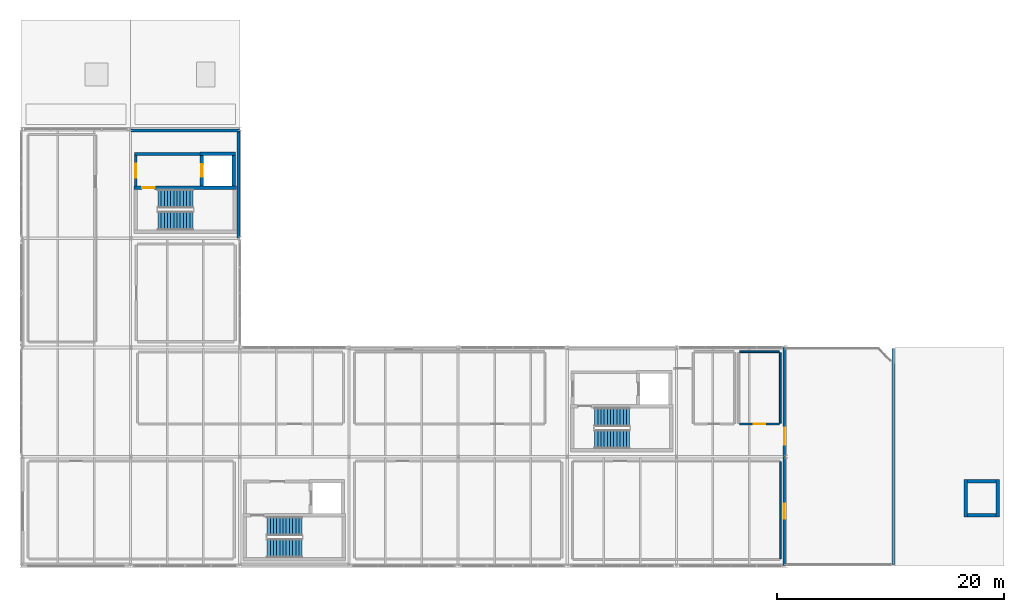
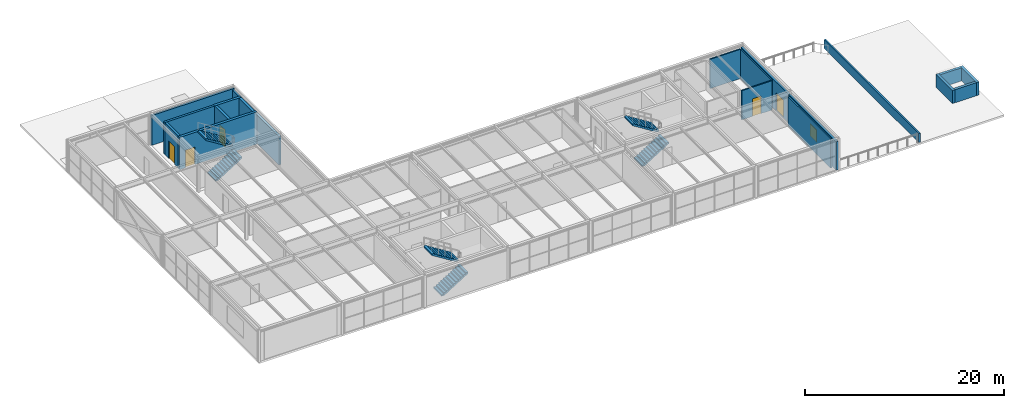
# One storey, part 36 of 39: 19 walls, 6 stair flights, 5 doors, 1 window, 6 openings, 3 elements without a shape of their own.
"""IFC4 building model written with IfcOpenShell, lengths in metres."""

from ifc_helpers import new_model, si_unit, direction, frame, frame_2d, origin, place, context, subcontext, project, spatial, polyline, rectangle, outline, extrude, material, layer, layer_set, type_object, element, fill, aggregate, save


model = new_model("IFC4")

# Units and contexts
model_context = context("Model", 3, precision=1e-05, world=origin(), true_north=direction((0.0, 1.0)))
body_context = subcontext(model_context, "Body", "Model", "MODEL_VIEW")
ifc_project = project(units=[si_unit("LENGTHUNIT", "METRE"), si_unit("AREAUNIT", "SQUARE_METRE"), si_unit("VOLUMEUNIT", "CUBIC_METRE"), si_unit("PLANEANGLEUNIT", "RADIAN"), si_unit("MASSUNIT", "GRAM", prefix="KILO")], contexts=[model_context])

# Site, building, storey
site_placement = place(None, origin())
site = spatial("IfcSite", under=ifc_project, at=site_placement, CompositionType="ELEMENT")
building_placement = place(site_placement, origin())
building = spatial("IfcBuilding", under=site, at=building_placement, Name="Coralgate Yard Interchange", CompositionType="ELEMENT")
storey_placement = place(building_placement, frame((0.0, 0.0, 18.89990234375)))
storey = spatial("IfcBuildingStorey", under=building, at=storey_placement, Name="L04", CompositionType="ELEMENT", Elevation=18.89990234375)

# Wall, opening, door
ifc_material_1 = material(Name="Concrete C40/50", Category="concrete")
ifc_layer_1 = layer(ifc_material_1, 0.300048828125)
ifc_layer_set_1 = layer_set([ifc_layer_1], Name="Concrete C40/50")
wall_type_1 = type_object("IfcWallType", Name="WAL-CW300", PredefinedType="SHEAR", material=ifc_layer_set_1)
wall_1_placement = place(storey_placement, frame((18.89990234375, 33.25, 0.0), z_axis=(0.0, 0.0, 1.0), x_axis=(-1.0, 0.0, 0.0)))
wall_1 = element("IfcWall", 1, at=wall_1_placement, inside=storey, type_object=wall_type_1, Name="C1 L04 stair north shear wall", PredefinedType="SHEAR", context=body_context, shape_type="SweptSolid", body=[
    extrude(rectangle(XDim=9.0, YDim=0.300048828125, at=frame_2d((4.5, 0.0))), origin(), (0.0, 0.0, 1.0), 3.9501953125),
])
opening_1_placement = place(wall_1_placement, frame((7.199951171875, 0.0, 0.0)))
opening_1 = element("IfcOpeningElement", 2, at=opening_1_placement, cuts=wall_1, Name="Opening FD-1", PredefinedType="OPENING", context=body_context, shape_type="SweptSolid", body=[
    extrude(rectangle(XDim=1.10009765625, YDim=2.14990234375, at=frame_2d((0.550048828125, 1.074951171875))), frame((0.0, 0.159912109375, 0.0), z_axis=(0.0, -1.0, 0.0), x_axis=(1.0, 0.0, 0.0)), (0.0, 0.0, 1.0), 0.320068359375),
])
ifc_material_2 = material(Name="Powder-coated steel fire door assembly", Category="steel")
door_type_1 = type_object("IfcDoorType", Name="DOR-FD-1", OperationType="NOTDEFINED", PredefinedType="DOOR", material=ifc_material_2)
door_1_placement = place(opening_1_placement, frame((1.10009765625, 0.0, 0.0), z_axis=(0.0, 0.0, 1.0), x_axis=(-1.0, 0.0, 0.0)))
door_1 = element("IfcDoor", 3, at=door_1_placement, inside=storey, type_object=door_type_1, Name="C1 L04 stair fire door", OperationType="SINGLE_SWING_LEFT", OverallHeight=2.14990234375, OverallWidth=1.10009765625, PredefinedType="DOOR", context=body_context, shape_type="SweptSolid", body=[
    extrude(rectangle(XDim=1.10009765625, YDim=2.14990234375, at=frame_2d((0.550048828125, 1.074951171875))), frame((0.0, 0.02490234375, 0.0), z_axis=(0.0, -1.0, 0.0), x_axis=(1.0, 0.0, 0.0)), (0.0, 0.0, 1.0), 0.050048828125),
])
fill(opening_1, door_1)

wall_2_placement = place(storey_placement, frame((15.85009765625, 36.10009765625, 0.0), z_axis=(0.0, 0.0, 1.0), x_axis=(0.0, -1.0, 0.0)))
wall_2 = element("IfcWall", 4, at=wall_2_placement, inside=storey, type_object=wall_type_1, Name="C1 L04 lift front shear wall", PredefinedType="SHEAR", context=body_context, shape_type="SweptSolid", body=[
    extrude(rectangle(XDim=2.7001953125, YDim=0.300048828125, at=frame_2d((1.35009765625, 0.0))), origin(), (0.0, 0.0, 1.0), 3.9501953125),
])
opening_2_placement = place(wall_2_placement, frame((0.800048828125, 0.0, 0.0)))
opening_2 = element("IfcOpeningElement", 5, at=opening_2_placement, cuts=wall_2, Name="Opening LD-1", PredefinedType="OPENING", context=body_context, shape_type="SweptSolid", body=[
    extrude(rectangle(XDim=1.10009765625, YDim=2.10009765625, at=frame_2d((0.550048828125, 1.050048828125))), frame((0.0, 0.159912109375, 0.0), z_axis=(0.0, -1.0, 0.0), x_axis=(1.0, 0.0, 0.0)), (0.0, 0.0, 1.0), 0.320068359375),
])
ifc_material_3 = material(Name="Brushed stainless steel firefighting lift landing door", Category="steel")
door_type_2 = type_object("IfcDoorType", Name="DOR-LD-1", OperationType="DOUBLE_DOOR_SLIDING", PredefinedType="DOOR", material=ifc_material_3)
door_2_placement = place(opening_2_placement, frame((1.10009765625, 0.0, 0.0), z_axis=(0.0, 0.0, 1.0), x_axis=(-1.0, 0.0, 0.0)))
door_2 = element("IfcDoor", 6, at=door_2_placement, inside=storey, type_object=door_type_2, Name="FFL-01 L04 sliding lift landing door", OperationType="DOUBLE_DOOR_SLIDING", OverallHeight=2.10009765625, OverallWidth=1.10009765625, PredefinedType="DOOR", context=body_context, shape_type="SweptSolid", body=[
    extrude(rectangle(XDim=1.10009765625, YDim=2.10009765625, at=frame_2d((0.550048828125, 1.050048828125))), frame((0.0, 0.02490234375, 0.0), z_axis=(0.0, -1.0, 0.0), x_axis=(1.0, 0.0, 0.0)), (0.0, 0.0, 1.0), 0.050048828125),
])
fill(opening_2, door_2)

# Walls
wall_3_placement = place(storey_placement, frame((18.64990234375, 33.39990234375, 0.0), z_axis=(0.0, 0.0, 1.0), x_axis=(0.0, 1.0, 0.0)))
element("IfcWall", 7, at=wall_3_placement, inside=storey, type_object=wall_type_1, Name="C1 L04 lift rear shear wall", PredefinedType="SHEAR", context=body_context, shape_type="SweptSolid", body=[
    extrude(rectangle(XDim=2.7001953125, YDim=0.300048828125, at=frame_2d((1.35009765625, 0.0))), origin(), (0.0, 0.0, 1.0), 3.9501953125),
])
wall_4_placement = place(storey_placement, frame((15.699951171875, 36.25, 0.0), z_axis=(0.0, 0.0, 1.0), x_axis=(1.0, 0.0, 0.0)))
element("IfcWall", 8, at=wall_4_placement, inside=storey, type_object=wall_type_1, Name="C1 L04 lift north shear wall", PredefinedType="SHEAR", context=body_context, shape_type="SweptSolid", body=[
    extrude(rectangle(XDim=3.10009765625, YDim=0.300048828125, at=frame_2d((1.550048828125, 0.0))), origin(), (0.0, 0.0, 1.0), 3.9501953125),
])
for number, where, z_axis, x_axis, name in (
    (9, (83.050048828125, 4.300048828125, 0.0), (0.0, 0.0, 1.0), (0.0, 1.0, 0.0), "LF-02 lift overrun wall W"),
    (10, (85.85009765625, 4.300048828125, 0.0), (0.0, 0.0, 1.0), (0.0, 1.0, 0.0), "LF-02 lift overrun wall E"),
):
    element("IfcWall", number, at=place(storey_placement, frame(where, z_axis=z_axis, x_axis=x_axis)), inside=storey, type_object=wall_type_1, Name=name, PredefinedType="SHEAR", context=body_context, shape_type="SweptSolid", body=[
        extrude(rectangle(XDim=3.300048828125, YDim=0.300048828125, at=frame_2d((1.64990234375, 0.0))), origin(), (0.0, 0.0, 1.0), 1.60009765625),
    ])
for number, where, z_axis, x_axis, name in (
    (11, (83.199951171875, 4.449951171875, 0.0), (0.0, 0.0, 1.0), (1.0, 0.0, 0.0), "LF-02 lift overrun wall S"),
    (12, (83.199951171875, 7.449951171875, 0.0), (0.0, 0.0, 1.0), (1.0, 0.0, 0.0), "LF-02 lift overrun wall N"),
):
    element("IfcWall", number, at=place(storey_placement, frame(where, z_axis=z_axis, x_axis=x_axis)), inside=storey, type_object=wall_type_1, Name=name, PredefinedType="SHEAR", context=body_context, shape_type="SweptSolid", body=[
        extrude(rectangle(XDim=2.5, YDim=0.300048828125, at=frame_2d((1.25, 0.0))), origin(), (0.0, 0.0, 1.0), 1.60009765625),
    ])
ifc_material_4 = material(Name="Insulated rendered concrete blockwork", Category="masonry")
ifc_layer_2 = layer(ifc_material_4, 0.239990234375)
ifc_layer_set_2 = layer_set([ifc_layer_2], Name="Insulated rendered concrete blockwork")
wall_type_2 = type_object("IfcWallType", Name="WAL-EW-240", PredefinedType="SOLIDWALL", material=ifc_layer_set_2)
wall_5_placement = place(storey_placement, frame((9.6201171875, 38.280029296875, 0.0), z_axis=(0.0, 0.0, 1.0), x_axis=(1.0, 0.0, 0.0)))
element("IfcWall", 13, at=wall_5_placement, inside=storey, type_object=wall_type_2, Name="L04 exterior coastal wall N 1-3", PredefinedType="SOLIDWALL", context=body_context, shape_type="SweptSolid", body=[
    extrude(rectangle(XDim=9.559814453125, YDim=0.239990234375, at=frame_2d((4.77978515625, 0.0))), origin(), (0.0, 0.0, 1.0), 3.66015625),
])
wall_6_placement = place(storey_placement, frame((19.080078125, 38.3798828125, 0.0), z_axis=(0.0, 0.0, 1.0), x_axis=(0.0, -1.0, 0.0)))
element("IfcWall", 14, at=wall_6_placement, inside=storey, type_object=wall_type_2, Name="L04 exterior coastal wall E 1-3", PredefinedType="SOLIDWALL", context=body_context, shape_type="SweptSolid", body=[
    extrude(rectangle(XDim=9.559814453125, YDim=0.239990234375, at=frame_2d((4.77978515625, 0.0))), origin(), (0.0, 0.0, 1.0), 3.4931640625),
])

# Wall, opening, window
wall_7_placement = place(storey_placement, frame((67.080078125, 9.580078125, 0.0), z_axis=(0.0, 0.0, 1.0), x_axis=(0.0, -1.0, 0.0)))
wall_7 = element("IfcWall", 15, at=wall_7_placement, inside=storey, type_object=wall_type_2, Name="L04 exterior coastal wall E 6-0", PredefinedType="SOLIDWALL", context=body_context, shape_type="SweptSolid", body=[
    extrude(rectangle(XDim=9.56005859375, YDim=0.239990234375, at=frame_2d((4.780029296875, 0.0))), origin(), (0.0, 0.0, 1.0), 3.4931640625),
])
opening_3_placement = place(wall_7_placement, frame((4.10498046875, 0.0, 0.89990234375)))
opening_3 = element("IfcOpeningElement", 16, at=opening_3_placement, cuts=wall_7, Name="Opening W-15", PredefinedType="OPENING", context=body_context, shape_type="SweptSolid", body=[
    extrude(rectangle(XDim=1.35009765625, YDim=1.5, at=frame_2d((0.675048828125, 0.75))), frame((0.0, 0.1298828125, 0.0), z_axis=(0.0, -1.0, 0.0), x_axis=(1.0, 0.0, 0.0)), (0.0, 0.0, 1.0), 0.260009765625),
])
ifc_material_5 = material(Name="Thermally broken anodised aluminium and solar-control low-E glass", Category="aluminium")
window_type = type_object("IfcWindowType", Name="WIN-W-15", PartitioningType="SINGLE_PANEL", PredefinedType="WINDOW", material=ifc_material_5)
window_placement = place(opening_3_placement, origin())
window = element("IfcWindow", 17, at=window_placement, inside=storey, type_object=window_type, Name="L04 coastal facade window E-6-0", OverallHeight=1.5, OverallWidth=1.35009765625, PartitioningType="SINGLE_PANEL", PredefinedType="WINDOW", context=body_context, shape_type="SweptSolid", body=[
    extrude(rectangle(XDim=1.35009765625, YDim=1.5, at=frame_2d((0.675048828125, 0.75))), frame((0.0, 0.030029296875, 0.0), z_axis=(0.0, -1.0, 0.0), x_axis=(1.0, 0.0, 0.0)), (0.0, 0.0, 1.0), 0.06005859375),
])
fill(opening_3, window)

# Wall, opening, door
wall_8_placement = place(storey_placement, frame((67.080078125, 19.179931640625, 0.0), z_axis=(0.0, 0.0, 1.0), x_axis=(0.0, -1.0, 0.0)))
wall_8 = element("IfcWall", 18, at=wall_8_placement, inside=storey, type_object=wall_type_2, Name="L04 exterior coastal wall E 6-1", PredefinedType="SOLIDWALL", context=body_context, shape_type="SweptSolid", body=[
    extrude(rectangle(XDim=9.559814453125, YDim=0.239990234375, at=frame_2d((4.77978515625, 0.0))), origin(), (0.0, 0.0, 1.0), 3.4931640625),
])
opening_4_placement = place(wall_8_placement, frame((7.050048828125, 0.0, 0.0)))
opening_4 = element("IfcOpeningElement", 19, at=opening_4_placement, cuts=wall_8, Name="Opening VD-2", PredefinedType="OPENING", context=body_context, shape_type="SweptSolid", body=[
    extrude(rectangle(XDim=1.5, YDim=2.199951171875, at=frame_2d((0.75, 1.10009765625))), frame((0.0, 0.1298828125, 0.0), z_axis=(0.0, -1.0, 0.0), x_axis=(1.0, 0.0, 0.0)), (0.0, 0.0, 1.0), 0.260009765625),
])
ifc_material_6 = material(Name="Thermally broken aluminium terrace double door", Category="aluminium")
door_type_3 = type_object("IfcDoorType", Name="DOR-VD-2", OperationType="NOTDEFINED", PredefinedType="DOOR", material=ifc_material_6)
door_3_placement = place(opening_4_placement, origin())
door_3 = element("IfcDoor", 20, at=door_3_placement, inside=storey, type_object=door_type_3, Name="L04 coastal veranda double door 6-1", OperationType="DOUBLE_DOOR_SINGLE_SWING", OverallHeight=2.199951171875, OverallWidth=1.5, PredefinedType="DOOR", context=body_context, shape_type="SweptSolid", body=[
    extrude(rectangle(XDim=1.5, YDim=2.199951171875, at=frame_2d((0.75, 1.10009765625))), frame((0.0, 0.02490234375, 0.0), z_axis=(0.0, -1.0, 0.0), x_axis=(1.0, 0.0, 0.0)), (0.0, 0.0, 1.0), 0.050048828125),
])
fill(opening_4, door_3)

# Walls
ifc_material_7 = material(Name="Precast concrete C40/50", Category="concrete")
ifc_layer_3 = layer(ifc_material_7, 0.18994140625)
ifc_layer_set_3 = layer_set([ifc_layer_3], Name="Precast concrete C40/50")
wall_type_3 = type_object("IfcWallType", Name="WAL-PR-190", PredefinedType="PARAPET", material=ifc_layer_set_3)
wall_9_placement = place(storey_placement, frame((76.659912109375, 0.10009765625, 0.0), z_axis=(0.0, 0.0, 1.0), x_axis=(0.0, 1.0, 0.0)))
element("IfcWall", 21, at=wall_9_placement, inside=storey, type_object=wall_type_3, Name="L04 veranda-to-roof precast parapet divider wall", PredefinedType="PARAPET", context=body_context, shape_type="SweptSolid", body=[
    extrude(rectangle(XDim=19.0, YDim=0.18994140625, at=frame_2d((9.5, 0.0))), origin(), (0.0, 0.0, 1.0), 1.10498046875),
])
ifc_material_8 = material(Name="Acoustic twin-stud office partition")
ifc_layer_4 = layer(ifc_material_8, 0.139892578125)
ifc_layer_set_4 = layer_set([ifc_layer_4], Name="Acoustic twin-stud office partition")
wall_type_4 = type_object("IfcWallType", Name="WAL-PW-140", PredefinedType="PARTITIONING", material=ifc_layer_set_4)
wall_10_placement = place(storey_placement, frame((66.72998046875, 9.159912109375, 0.0), z_axis=(0.0, 0.0, 1.0), x_axis=(0.0, -1.0, 0.0)))
element("IfcWall", 22, at=wall_10_placement, inside=storey, type_object=wall_type_4, Name="Signalling and Safety Training Classroom 01 partition E", PredefinedType="PARTITIONING", context=body_context, shape_type="SweptSolid", body=[
    extrude(rectangle(XDim=8.52001953125, YDim=0.139892578125, at=frame_2d((4.260009765625, 0.0))), origin(), (0.0, 0.0, 1.0), 3.590087890625),
])

# Wall, opening, door
ifc_material_9 = material(Name="Moisture-resistant masonry washroom wall", Category="masonry")
ifc_layer_5 = layer(ifc_material_9, 0.14990234375)
ifc_layer_set_5 = layer_set([ifc_layer_5], Name="Moisture-resistant masonry washroom wall")
wall_type_5 = type_object("IfcWallType", Name="WAL-PW-150", PredefinedType="PLUMBINGWALL", material=ifc_layer_set_5)
wall_11_placement = place(storey_placement, frame((66.64990234375, 12.47509765625, 0.0), z_axis=(0.0, 0.0, 1.0), x_axis=(-1.0, 0.0, 0.0)))
wall_11 = element("IfcWall", 23, at=wall_11_placement, inside=storey, type_object=wall_type_5, Name="L04 Accessible WC partition S", PredefinedType="PLUMBINGWALL", context=body_context, shape_type="SweptSolid", body=[
    extrude(rectangle(XDim=3.5, YDim=0.14990234375, at=frame_2d((1.75, 0.0))), origin(), (0.0, 0.0, 1.0), 3.590087890625),
])
opening_5_placement = place(wall_11_placement, frame((1.25, 0.0, 0.0)))
opening_5 = element("IfcOpeningElement", 24, at=opening_5_placement, cuts=wall_11, Name="Opening ID-02", PredefinedType="OPENING", context=body_context, shape_type="SweptSolid", body=[
    extrude(rectangle(XDim=1.0, YDim=2.14990234375, at=frame_2d((0.5, 1.074951171875))), frame((0.0, 0.0849609375, 0.0), z_axis=(0.0, -1.0, 0.0), x_axis=(1.0, 0.0, 0.0)), (0.0, 0.0, 1.0), 0.169921875),
])
ifc_material_10 = material(Name="Accessible wide-leaf washroom and office door")
door_type_4 = type_object("IfcDoorType", Name="DOR-ID-02", OperationType="NOTDEFINED", PredefinedType="DOOR", material=ifc_material_10)
door_4_placement = place(opening_5_placement, frame((1.0, 0.0, 0.0), z_axis=(0.0, 0.0, 1.0), x_axis=(-1.0, 0.0, 0.0)))
door_4 = element("IfcDoor", 25, at=door_4_placement, inside=storey, type_object=door_type_4, Name="L04 Accessible WC door", OperationType="SINGLE_SWING_RIGHT", OverallHeight=2.14990234375, OverallWidth=1.0, PredefinedType="DOOR", context=body_context, shape_type="SweptSolid", body=[
    extrude(rectangle(XDim=1.0, YDim=2.14990234375, at=frame_2d((0.5, 1.074951171875))), frame((0.0, 0.02490234375, 0.0), z_axis=(0.0, -1.0, 0.0), x_axis=(1.0, 0.0, 0.0)), (0.0, 0.0, 1.0), 0.050048828125),
])
fill(opening_5, door_4)

# Walls
wall_12_placement = place(storey_placement, frame((63.14990234375, 18.824951171875, 0.0), z_axis=(0.0, 0.0, 1.0), x_axis=(1.0, 0.0, 0.0)))
element("IfcWall", 26, at=wall_12_placement, inside=storey, type_object=wall_type_5, Name="L04 Accessible WC partition N", PredefinedType="PLUMBINGWALL", context=body_context, shape_type="SweptSolid", body=[
    extrude(rectangle(XDim=3.5, YDim=0.14990234375, at=frame_2d((1.75, 0.0))), origin(), (0.0, 0.0, 1.0), 3.590087890625),
])
wall_13_placement = place(storey_placement, frame((66.72509765625, 18.75, 0.0), z_axis=(0.0, 0.0, 1.0), x_axis=(0.0, -1.0, 0.0)))
element("IfcWall", 27, at=wall_13_placement, inside=storey, type_object=wall_type_5, Name="L04 Accessible WC partition E", PredefinedType="PLUMBINGWALL", context=body_context, shape_type="SweptSolid", body=[
    extrude(rectangle(XDim=6.199951171875, YDim=0.14990234375, at=frame_2d((3.10009765625, 0.0))), origin(), (0.0, 0.0, 1.0), 3.590087890625),
])
ifc_layer_6 = layer(ifc_material_1, 0.25)
ifc_layer_set_6 = layer_set([ifc_layer_6], Name="Concrete C40/50")
wall_type_6 = type_object("IfcWallType", Name="WAL-SW250", PredefinedType="SHEAR", material=ifc_layer_set_6)
wall_14_placement = place(storey_placement, frame((15.699951171875, 36.22509765625, 0.0), z_axis=(0.0, 0.0, 1.0), x_axis=(-1.0, 0.0, 0.0)))
element("IfcWall", 28, at=wall_14_placement, inside=storey, type_object=wall_type_6, Name="C1 L04 lobby north fire wall", PredefinedType="SHEAR", context=body_context, shape_type="SweptSolid", body=[
    extrude(rectangle(XDim=5.77490234375, YDim=0.25, at=frame_2d((2.887451171875, 0.0))), origin(), (0.0, 0.0, 1.0), 3.9501953125),
])

# Wall, opening, door
wall_15_placement = place(storey_placement, frame((10.050048828125, 33.39990234375, 0.0), z_axis=(0.0, 0.0, 1.0), x_axis=(0.0, 1.0, 0.0)))
wall_15 = element("IfcWall", 29, at=wall_15_placement, inside=storey, type_object=wall_type_6, Name="C1 L04 lobby west fire wall", PredefinedType="SHEAR", context=body_context, shape_type="SweptSolid", body=[
    extrude(rectangle(XDim=2.7001953125, YDim=0.25, at=frame_2d((1.35009765625, 0.0))), origin(), (0.0, 0.0, 1.0), 3.9501953125),
])
opening_6_placement = place(wall_15_placement, frame((0.75, 0.0, 0.0)))
opening_6 = element("IfcOpeningElement", 30, at=opening_6_placement, cuts=wall_15, Name="Opening FD-2", PredefinedType="OPENING", context=body_context, shape_type="SweptSolid", body=[
    extrude(rectangle(XDim=1.199951171875, YDim=2.14990234375, at=frame_2d((0.60009765625, 1.074951171875))), frame((0.0, 0.135009765625, 0.0), z_axis=(0.0, -1.0, 0.0), x_axis=(1.0, 0.0, 0.0)), (0.0, 0.0, 1.0), 0.27001953125),
])
door_type_5 = type_object("IfcDoorType", Name="DOR-FD-2", OperationType="NOTDEFINED", PredefinedType="DOOR", material=ifc_material_2)
door_5_placement = place(opening_6_placement, frame((1.199951171875, 0.0, 0.0), z_axis=(0.0, 0.0, 1.0), x_axis=(-1.0, 0.0, 0.0)))
door_5 = element("IfcDoor", 31, at=door_5_placement, inside=storey, type_object=door_type_5, Name="C1 L04 lobby fire door", OperationType="SINGLE_SWING_RIGHT", OverallHeight=2.14990234375, OverallWidth=1.199951171875, PredefinedType="DOOR", context=body_context, shape_type="SweptSolid", body=[
    extrude(rectangle(XDim=1.199951171875, YDim=2.14990234375, at=frame_2d((0.60009765625, 1.074951171875))), frame((0.0, 0.02490234375, 0.0), z_axis=(0.0, -1.0, 0.0), x_axis=(1.0, 0.0, 0.0)), (0.0, 0.0, 1.0), 0.050048828125),
])
fill(opening_6, door_5)

# Stair, stair flights
stair_type = type_object("IfcStairType", Name="STR-DL-165-42", PredefinedType="HALF_TURN_STAIR", material=ifc_material_1)
stair_1_placement = place(storey_placement, origin())
stair_1 = element("IfcStair", 32, at=stair_1_placement, inside=storey, type_object=stair_type, Name="L04 Escape stair ST-01", PredefinedType="HALF_TURN_STAIR")
stair_flight_type = type_object("IfcStairFlightType", Name="STF-DL-165-42", PredefinedType="STRAIGHT", material=ifc_material_1)
stair_flight_1_placement = place(storey_placement, frame((12.0, 30.344970703125, 0.0), z_axis=(0.0, 0.0, 1.0), x_axis=(1.0, 0.0, 0.0)))
stair_flight_1 = element("IfcStairFlight", 33, at=stair_flight_1_placement, type_object=stair_flight_type, Name="ST-01 flight 1", NumberOfRisers=12, NumberOfTreads=11, PredefinedType="STRAIGHT", RiserHeight=0.175, TreadLength=0.28, context=body_context, shape_type="SweptSolid", body=[
    extrude(outline(polyline([(0.0, 0.0), (0.0, 0.175048828125), (0.280029296875, 0.175048828125), (0.280029296875, 0.35009765625), (0.56005859375, 0.35009765625), (0.56005859375, 0.52490234375), (0.840087890625, 0.52490234375), (0.840087890625, 0.699951171875), (1.1201171875, 0.699951171875), (1.1201171875, 0.875), (1.39990234375, 0.875), (1.39990234375, 1.050048828125), (1.679931640625, 1.050048828125), (1.679931640625, 1.22509765625), (1.9599609375, 1.22509765625), (1.9599609375, 1.39990234375), (2.239990234375, 1.39990234375), (2.239990234375, 1.574951171875), (2.52001953125, 1.574951171875), (2.52001953125, 1.75), (2.800048828125, 1.75), (2.800048828125, 1.925048828125), (3.080078125, 1.925048828125), (3.080078125, 2.10009765625), (3.080078125, 1.736328125), (0.3017578125, 0.0), (0.0, 0.0)])), frame((0.0, 0.824951171875, 0.0), z_axis=(0.0, -1.0, 0.0), x_axis=(1.0, 0.0, 0.0)), (0.0, 0.0, 1.0), 1.64990234375),
])
stair_flight_2_placement = place(storey_placement, frame((15.080078125, 32.284912109375, 2.10009765625), z_axis=(0.0, 0.0, 1.0), x_axis=(-1.0, 0.0, 0.0)))
stair_flight_2 = element("IfcStairFlight", 34, at=stair_flight_2_placement, type_object=stair_flight_type, Name="ST-01 flight 2", NumberOfRisers=12, NumberOfTreads=11, PredefinedType="STRAIGHT", RiserHeight=0.175, TreadLength=0.28, context=body_context, shape_type="SweptSolid", body=[
    extrude(outline(polyline([(0.0, 0.0), (0.0, 0.175048828125), (0.280029296875, 0.175048828125), (0.280029296875, 0.35009765625), (0.56005859375, 0.35009765625), (0.56005859375, 0.52490234375), (0.840087890625, 0.52490234375), (0.840087890625, 0.699951171875), (1.1201171875, 0.699951171875), (1.1201171875, 0.875), (1.39990234375, 0.875), (1.39990234375, 1.050048828125), (1.679931640625, 1.050048828125), (1.679931640625, 1.22509765625), (1.9599609375, 1.22509765625), (1.9599609375, 1.39990234375), (2.239990234375, 1.39990234375), (2.239990234375, 1.574951171875), (2.52001953125, 1.574951171875), (2.52001953125, 1.75), (2.800048828125, 1.75), (2.800048828125, 1.925048828125), (3.080078125, 1.925048828125), (3.080078125, 2.10009765625), (3.080078125, 1.736328125), (0.3017578125, 0.0), (0.0, 0.0)])), frame((0.0, 0.824951171875, 0.0), z_axis=(0.0, -1.0, 0.0), x_axis=(1.0, 0.0, 0.0)), (0.0, 0.0, 1.0), 1.64990234375),
])
aggregate(stair_1, [stair_flight_1, stair_flight_2])

stair_2_placement = place(storey_placement, origin())
stair_2 = element("IfcStair", 35, at=stair_2_placement, inside=storey, type_object=stair_type, Name="L04 Escape stair ST-02", PredefinedType="HALF_TURN_STAIR")
stair_flight_3_placement = place(storey_placement, frame((50.39990234375, 11.14501953125, 0.0), z_axis=(0.0, 0.0, 1.0), x_axis=(1.0, 0.0, 0.0)))
stair_flight_3 = element("IfcStairFlight", 36, at=stair_flight_3_placement, type_object=stair_flight_type, Name="ST-02 flight 1", NumberOfRisers=12, NumberOfTreads=11, PredefinedType="STRAIGHT", RiserHeight=0.175, TreadLength=0.28, context=body_context, shape_type="SweptSolid", body=[
    extrude(outline(polyline([(0.0, 0.0), (0.0, 0.175048828125), (0.280029296875, 0.175048828125), (0.280029296875, 0.35009765625), (0.56005859375, 0.35009765625), (0.56005859375, 0.52490234375), (0.840087890625, 0.52490234375), (0.840087890625, 0.699951171875), (1.1201171875, 0.699951171875), (1.1201171875, 0.875), (1.39990234375, 0.875), (1.39990234375, 1.050048828125), (1.679931640625, 1.050048828125), (1.679931640625, 1.22509765625), (1.9599609375, 1.22509765625), (1.9599609375, 1.39990234375), (2.239990234375, 1.39990234375), (2.239990234375, 1.574951171875), (2.52001953125, 1.574951171875), (2.52001953125, 1.75), (2.800048828125, 1.75), (2.800048828125, 1.925048828125), (3.080078125, 1.925048828125), (3.080078125, 2.10009765625), (3.080078125, 1.736328125), (0.3017578125, 0.0), (0.0, 0.0)])), frame((0.0, 0.824951171875, 0.0), z_axis=(0.0, -1.0, 0.0), x_axis=(1.0, 0.0, 0.0)), (0.0, 0.0, 1.0), 1.64990234375),
])
stair_flight_4_placement = place(storey_placement, frame((53.47998046875, 13.0849609375, 2.10009765625), z_axis=(0.0, 0.0, 1.0), x_axis=(-1.0, 0.0, 0.0)))
stair_flight_4 = element("IfcStairFlight", 37, at=stair_flight_4_placement, type_object=stair_flight_type, Name="ST-02 flight 2", NumberOfRisers=12, NumberOfTreads=11, PredefinedType="STRAIGHT", RiserHeight=0.175, TreadLength=0.28, context=body_context, shape_type="SweptSolid", body=[
    extrude(outline(polyline([(0.0, 0.0), (0.0, 0.175048828125), (0.280029296875, 0.175048828125), (0.280029296875, 0.35009765625), (0.56005859375, 0.35009765625), (0.56005859375, 0.52490234375), (0.840087890625, 0.52490234375), (0.840087890625, 0.699951171875), (1.1201171875, 0.699951171875), (1.1201171875, 0.875), (1.39990234375, 0.875), (1.39990234375, 1.050048828125), (1.679931640625, 1.050048828125), (1.679931640625, 1.22509765625), (1.9599609375, 1.22509765625), (1.9599609375, 1.39990234375), (2.239990234375, 1.39990234375), (2.239990234375, 1.574951171875), (2.52001953125, 1.574951171875), (2.52001953125, 1.75), (2.800048828125, 1.75), (2.800048828125, 1.925048828125), (3.080078125, 1.925048828125), (3.080078125, 2.10009765625), (3.080078125, 1.736328125), (0.3017578125, 0.0), (0.0, 0.0)])), frame((0.0, 0.824951171875, 0.0), z_axis=(0.0, -1.0, 0.0), x_axis=(1.0, 0.0, 0.0)), (0.0, 0.0, 1.0), 1.64990234375),
])
aggregate(stair_2, [stair_flight_3, stair_flight_4])

stair_3_placement = place(storey_placement, origin())
stair_3 = element("IfcStair", 38, at=stair_3_placement, inside=storey, type_object=stair_type, Name="L04 Escape stair ST-03", PredefinedType="HALF_TURN_STAIR")
stair_flight_5_placement = place(storey_placement, frame((21.60009765625, 1.544921875, 0.0), z_axis=(0.0, 0.0, 1.0), x_axis=(1.0, 0.0, 0.0)))
stair_flight_5 = element("IfcStairFlight", 39, at=stair_flight_5_placement, type_object=stair_flight_type, Name="ST-03 flight 1", NumberOfRisers=12, NumberOfTreads=11, PredefinedType="STRAIGHT", RiserHeight=0.175, TreadLength=0.28, context=body_context, shape_type="SweptSolid", body=[
    extrude(outline(polyline([(0.0, 0.0), (0.0, 0.175048828125), (0.280029296875, 0.175048828125), (0.280029296875, 0.35009765625), (0.56005859375, 0.35009765625), (0.56005859375, 0.52490234375), (0.840087890625, 0.52490234375), (0.840087890625, 0.699951171875), (1.1201171875, 0.699951171875), (1.1201171875, 0.875), (1.39990234375, 0.875), (1.39990234375, 1.050048828125), (1.679931640625, 1.050048828125), (1.679931640625, 1.22509765625), (1.9599609375, 1.22509765625), (1.9599609375, 1.39990234375), (2.239990234375, 1.39990234375), (2.239990234375, 1.574951171875), (2.52001953125, 1.574951171875), (2.52001953125, 1.75), (2.800048828125, 1.75), (2.800048828125, 1.925048828125), (3.080078125, 1.925048828125), (3.080078125, 2.10009765625), (3.080078125, 1.736328125), (0.3017578125, 0.0), (0.0, 0.0)])), frame((0.0, 0.824951171875, 0.0), z_axis=(0.0, -1.0, 0.0), x_axis=(1.0, 0.0, 0.0)), (0.0, 0.0, 1.0), 1.64990234375),
])
stair_flight_6_placement = place(storey_placement, frame((24.679931640625, 3.485107421875, 2.10009765625), z_axis=(0.0, 0.0, 1.0), x_axis=(-1.0, 0.0, 0.0)))
stair_flight_6 = element("IfcStairFlight", 40, at=stair_flight_6_placement, type_object=stair_flight_type, Name="ST-03 flight 2", NumberOfRisers=12, NumberOfTreads=11, PredefinedType="STRAIGHT", RiserHeight=0.175, TreadLength=0.28, context=body_context, shape_type="SweptSolid", body=[
    extrude(outline(polyline([(0.0, 0.0), (0.0, 0.175048828125), (0.280029296875, 0.175048828125), (0.280029296875, 0.35009765625), (0.56005859375, 0.35009765625), (0.56005859375, 0.52490234375), (0.840087890625, 0.52490234375), (0.840087890625, 0.699951171875), (1.1201171875, 0.699951171875), (1.1201171875, 0.875), (1.39990234375, 0.875), (1.39990234375, 1.050048828125), (1.679931640625, 1.050048828125), (1.679931640625, 1.22509765625), (1.9599609375, 1.22509765625), (1.9599609375, 1.39990234375), (2.239990234375, 1.39990234375), (2.239990234375, 1.574951171875), (2.52001953125, 1.574951171875), (2.52001953125, 1.75), (2.800048828125, 1.75), (2.800048828125, 1.925048828125), (3.080078125, 1.925048828125), (3.080078125, 2.10009765625), (3.080078125, 1.736328125), (0.3017578125, 0.0), (0.0, 0.0)])), frame((0.0, 0.824951171875, 0.0), z_axis=(0.0, -1.0, 0.0), x_axis=(1.0, 0.0, 0.0)), (0.0, 0.0, 1.0), 1.64990234375),
])
aggregate(stair_3, [stair_flight_5, stair_flight_6])

save(model, "model.ifc")
